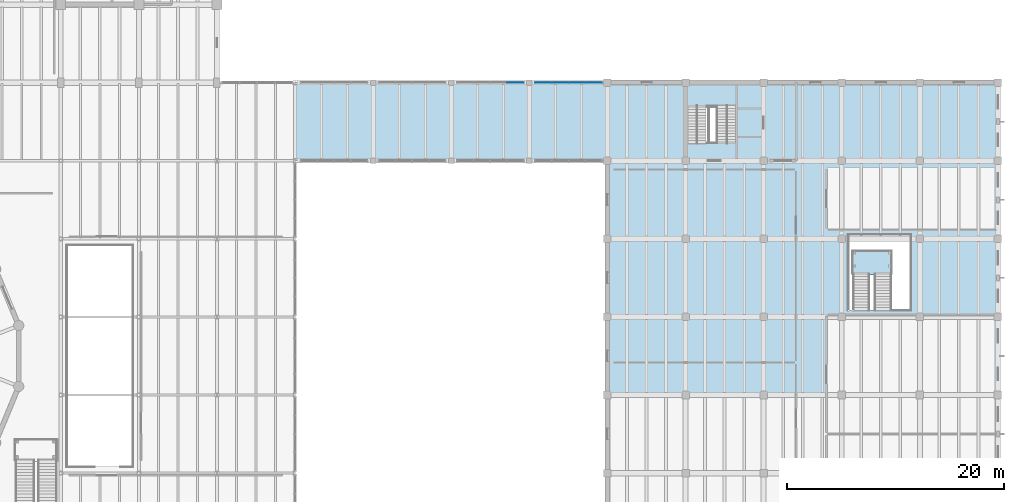
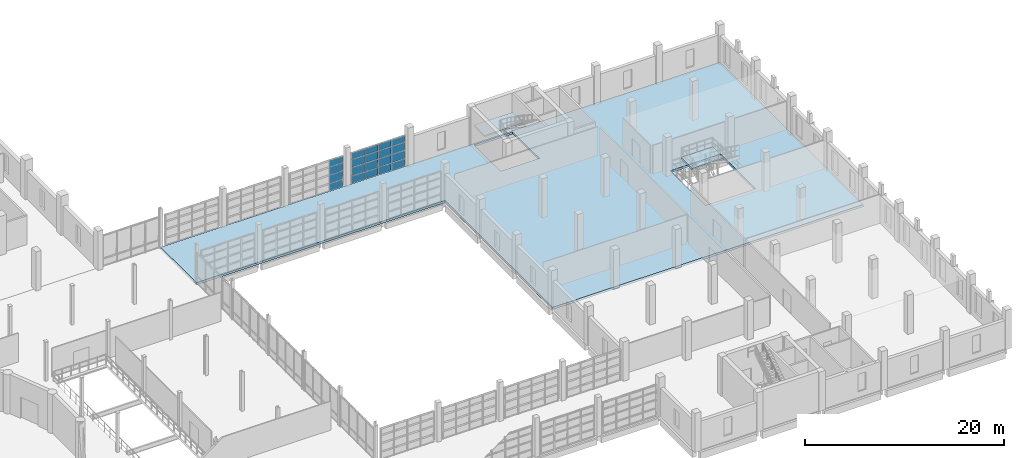
# One storey, part 57 of 77: 20 plates, 3 slabs, 4 elements without a shape of their own.
"""IFC4 building model written with IfcOpenShell, lengths in metres."""

from ifc_helpers import new_model, si_unit, direction, frame, frame_2d, origin, place, context, subcontext, project, spatial, polyline, rectangle, outline, extrude, material, layer, layer_set, type_object, element, aggregate, save


model = new_model("IFC4")

# Units and contexts
model_context = context("Model", 3, precision=1e-05, world=origin(), true_north=direction((0.0, 1.0)))
body_context = subcontext(model_context, "Body", "Model", "MODEL_VIEW")
ifc_project = project(units=[si_unit("LENGTHUNIT", "METRE"), si_unit("AREAUNIT", "SQUARE_METRE"), si_unit("VOLUMEUNIT", "CUBIC_METRE"), si_unit("PLANEANGLEUNIT", "RADIAN"), si_unit("MASSUNIT", "GRAM", prefix="KILO")], contexts=[model_context])

# Site, building, storey
site_placement = place(None, origin())
site = spatial("IfcSite", under=ifc_project, at=site_placement, CompositionType="ELEMENT")
building_placement = place(site_placement, origin())
building = spatial("IfcBuilding", under=site, at=building_placement, Name="Qiaolan Assembly House", CompositionType="ELEMENT")
storey_placement = place(building_placement, frame((0.0, 0.0, 5.39990234375)))
storey = spatial("IfcBuildingStorey", under=building, at=storey_placement, Name="L01", CompositionType="ELEMENT", Elevation=5.39990234375)

# Curtain wall, plates
ifc_material_1 = material(Name="Anodised bronze aluminium", Category="aluminium")
curtain_wall_type = type_object("IfcCurtainWallType", Name="CW-CLOISTER-420", PredefinedType="NOTDEFINED", material=ifc_material_1)
curtain_wall_1_placement = place(storey_placement, origin())
curtain_wall_1 = element("IfcCurtainWall", 1, at=curtain_wall_1_placement, inside=storey, type_object=curtain_wall_type, Name="CW-05 North Cloister outer arcade L01-3", PredefinedType="NOTDEFINED")
ifc_material_2 = material(Name="Low-E double insulating glass", Category="glass")
ifc_layer_1 = layer(ifc_material_2, 0.02587890625)
ifc_layer_set_1 = layer_set([ifc_layer_1], Name="Low-E double insulating glass")
plate_type = type_object("IfcPlateType", Name="CW-CLOISTER-420-PNL", PredefinedType="CURTAIN_PANEL", material=ifc_layer_set_1)
plate_1_placement = place(storey_placement, frame((129.052978515625, 86.39990234375, 0.052978515625), z_axis=(0.0, 0.0, 1.0), x_axis=(-1.0, 0.0, 0.0)))
plate_1 = element("IfcPlate", 2, at=plate_1_placement, type_object=plate_type, Name="GL-06 glazing panel CW-CLN-OUT-L01-2-1", PredefinedType="CURTAIN_PANEL", context=body_context, shape_type="SweptSolid", body=[
    extrude(rectangle(XDim=1.486083984375, YDim=0.02587890625, at=frame_2d((0.7431640625, 0.0))), origin(), (0.0, 0.0, 1.0), 0.8740234375),
])
plate_2_placement = place(storey_placement, frame((129.052978515625, 86.39990234375, 0.97314453125), z_axis=(0.0, 0.0, 1.0), x_axis=(-1.0, 0.0, 0.0)))
plate_2 = element("IfcPlate", 3, at=plate_2_placement, type_object=plate_type, Name="GL-06 glazing panel CW-CLN-OUT-L01-2-2", PredefinedType="CURTAIN_PANEL", context=body_context, shape_type="SweptSolid", body=[
    extrude(rectangle(XDim=1.486083984375, YDim=0.02587890625, at=frame_2d((0.7431640625, 0.0))), origin(), (0.0, 0.0, 1.0), 0.990234375),
])
plate_3_placement = place(storey_placement, frame((129.052978515625, 86.39990234375, 2.009521484375), z_axis=(0.0, 0.0, 1.0), x_axis=(-1.0, 0.0, 0.0)))
plate_3 = element("IfcPlate", 4, at=plate_3_placement, type_object=plate_type, Name="GL-06 glazing panel CW-CLN-OUT-L01-2-3", PredefinedType="CURTAIN_PANEL", context=body_context, shape_type="SweptSolid", body=[
    extrude(rectangle(XDim=1.486083984375, YDim=0.02587890625, at=frame_2d((0.7431640625, 0.0))), origin(), (0.0, 0.0, 1.0), 0.9375),
])
plate_4_placement = place(storey_placement, frame((129.052978515625, 86.39990234375, 2.9931640625), z_axis=(0.0, 0.0, 1.0), x_axis=(-1.0, 0.0, 0.0)))
plate_4 = element("IfcPlate", 5, at=plate_4_placement, type_object=plate_type, Name="GL-06 glazing panel CW-CLN-OUT-L01-2-4", PredefinedType="CURTAIN_PANEL", context=body_context, shape_type="SweptSolid", body=[
    extrude(rectangle(XDim=1.486083984375, YDim=0.02587890625, at=frame_2d((0.7431640625, 0.0))), origin(), (0.0, 0.0, 1.0), 0.77392578125),
])
aggregate(curtain_wall_1, [plate_1, plate_2, plate_3, plate_4])

curtain_wall_2_placement = place(storey_placement, origin())
curtain_wall_2 = element("IfcCurtainWall", 6, at=curtain_wall_2_placement, inside=storey, type_object=curtain_wall_type, Name="CW-05 North Cloister outer arcade L01-4", PredefinedType="NOTDEFINED")
plate_5_placement = place(storey_placement, frame((136.2529296875, 86.39990234375, 0.052978515625), z_axis=(0.0, 0.0, 1.0), x_axis=(-1.0, 0.0, 0.0)))
plate_5 = element("IfcPlate", 7, at=plate_5_placement, type_object=plate_type, Name="GL-06 glazing panel CW-CLN-OUT-L01-3-1", PredefinedType="CURTAIN_PANEL", context=body_context, shape_type="SweptSolid", body=[
    extrude(rectangle(XDim=1.48583984375, YDim=0.02587890625, at=frame_2d((0.742919921875, 0.0))), origin(), (0.0, 0.0, 1.0), 0.8740234375),
])
plate_6_placement = place(storey_placement, frame((136.2529296875, 86.39990234375, 0.97314453125), z_axis=(0.0, 0.0, 1.0), x_axis=(-1.0, 0.0, 0.0)))
plate_6 = element("IfcPlate", 8, at=plate_6_placement, type_object=plate_type, Name="GL-06 glazing panel CW-CLN-OUT-L01-3-2", PredefinedType="CURTAIN_PANEL", context=body_context, shape_type="SweptSolid", body=[
    extrude(rectangle(XDim=1.48583984375, YDim=0.02587890625, at=frame_2d((0.742919921875, 0.0))), origin(), (0.0, 0.0, 1.0), 0.990234375),
])
plate_7_placement = place(storey_placement, frame((136.2529296875, 86.39990234375, 2.009521484375), z_axis=(0.0, 0.0, 1.0), x_axis=(-1.0, 0.0, 0.0)))
plate_7 = element("IfcPlate", 9, at=plate_7_placement, type_object=plate_type, Name="GL-06 glazing panel CW-CLN-OUT-L01-3-3", PredefinedType="CURTAIN_PANEL", context=body_context, shape_type="SweptSolid", body=[
    extrude(rectangle(XDim=1.48583984375, YDim=0.02587890625, at=frame_2d((0.742919921875, 0.0))), origin(), (0.0, 0.0, 1.0), 0.9375),
])
plate_8_placement = place(storey_placement, frame((136.2529296875, 86.39990234375, 2.9931640625), z_axis=(0.0, 0.0, 1.0), x_axis=(-1.0, 0.0, 0.0)))
plate_8 = element("IfcPlate", 10, at=plate_8_placement, type_object=plate_type, Name="GL-06 glazing panel CW-CLN-OUT-L01-3-4", PredefinedType="CURTAIN_PANEL", context=body_context, shape_type="SweptSolid", body=[
    extrude(rectangle(XDim=1.48583984375, YDim=0.02587890625, at=frame_2d((0.742919921875, 0.0))), origin(), (0.0, 0.0, 1.0), 0.77392578125),
])
plate_9_placement = place(storey_placement, frame((134.712890625, 86.39990234375, 0.052978515625), z_axis=(0.0, 0.0, 1.0), x_axis=(-1.0, 0.0, 0.0)))
plate_9 = element("IfcPlate", 11, at=plate_9_placement, type_object=plate_type, Name="GL-06 glazing panel CW-CLN-OUT-L01-3-5", PredefinedType="CURTAIN_PANEL", context=body_context, shape_type="SweptSolid", body=[
    extrude(rectangle(XDim=1.48583984375, YDim=0.02587890625, at=frame_2d((0.742919921875, 0.0))), origin(), (0.0, 0.0, 1.0), 0.8740234375),
])
plate_10_placement = place(storey_placement, frame((134.712890625, 86.39990234375, 0.97314453125), z_axis=(0.0, 0.0, 1.0), x_axis=(-1.0, 0.0, 0.0)))
plate_10 = element("IfcPlate", 12, at=plate_10_placement, type_object=plate_type, Name="GL-06 glazing panel CW-CLN-OUT-L01-3-6", PredefinedType="CURTAIN_PANEL", context=body_context, shape_type="SweptSolid", body=[
    extrude(rectangle(XDim=1.48583984375, YDim=0.02587890625, at=frame_2d((0.742919921875, 0.0))), origin(), (0.0, 0.0, 1.0), 0.990234375),
])
plate_11_placement = place(storey_placement, frame((134.712890625, 86.39990234375, 2.009521484375), z_axis=(0.0, 0.0, 1.0), x_axis=(-1.0, 0.0, 0.0)))
plate_11 = element("IfcPlate", 13, at=plate_11_placement, type_object=plate_type, Name="GL-06 glazing panel CW-CLN-OUT-L01-3-7", PredefinedType="CURTAIN_PANEL", context=body_context, shape_type="SweptSolid", body=[
    extrude(rectangle(XDim=1.48583984375, YDim=0.02587890625, at=frame_2d((0.742919921875, 0.0))), origin(), (0.0, 0.0, 1.0), 0.9375),
])
plate_12_placement = place(storey_placement, frame((134.712890625, 86.39990234375, 2.9931640625), z_axis=(0.0, 0.0, 1.0), x_axis=(-1.0, 0.0, 0.0)))
plate_12 = element("IfcPlate", 14, at=plate_12_placement, type_object=plate_type, Name="GL-06 glazing panel CW-CLN-OUT-L01-3-8", PredefinedType="CURTAIN_PANEL", context=body_context, shape_type="SweptSolid", body=[
    extrude(rectangle(XDim=1.48583984375, YDim=0.02587890625, at=frame_2d((0.742919921875, 0.0))), origin(), (0.0, 0.0, 1.0), 0.77392578125),
])
plate_13_placement = place(storey_placement, frame((133.173095703125, 86.39990234375, 0.052978515625), z_axis=(0.0, 0.0, 1.0), x_axis=(-1.0, 0.0, 0.0)))
plate_13 = element("IfcPlate", 15, at=plate_13_placement, type_object=plate_type, Name="GL-06 glazing panel CW-CLN-OUT-L01-3-9", PredefinedType="CURTAIN_PANEL", context=body_context, shape_type="SweptSolid", body=[
    extrude(rectangle(XDim=1.486083984375, YDim=0.02587890625, at=frame_2d((0.7431640625, 0.0))), origin(), (0.0, 0.0, 1.0), 0.8740234375),
])
plate_14_placement = place(storey_placement, frame((133.173095703125, 86.39990234375, 0.97314453125), z_axis=(0.0, 0.0, 1.0), x_axis=(-1.0, 0.0, 0.0)))
plate_14 = element("IfcPlate", 16, at=plate_14_placement, type_object=plate_type, Name="GL-06 glazing panel CW-CLN-OUT-L01-3-10", PredefinedType="CURTAIN_PANEL", context=body_context, shape_type="SweptSolid", body=[
    extrude(rectangle(XDim=1.486083984375, YDim=0.02587890625, at=frame_2d((0.7431640625, 0.0))), origin(), (0.0, 0.0, 1.0), 0.990234375),
])
plate_15_placement = place(storey_placement, frame((133.173095703125, 86.39990234375, 2.009521484375), z_axis=(0.0, 0.0, 1.0), x_axis=(-1.0, 0.0, 0.0)))
plate_15 = element("IfcPlate", 17, at=plate_15_placement, type_object=plate_type, Name="GL-06 glazing panel CW-CLN-OUT-L01-3-11", PredefinedType="CURTAIN_PANEL", context=body_context, shape_type="SweptSolid", body=[
    extrude(rectangle(XDim=1.486083984375, YDim=0.02587890625, at=frame_2d((0.7431640625, 0.0))), origin(), (0.0, 0.0, 1.0), 0.9375),
])
plate_16_placement = place(storey_placement, frame((133.173095703125, 86.39990234375, 2.9931640625), z_axis=(0.0, 0.0, 1.0), x_axis=(-1.0, 0.0, 0.0)))
plate_16 = element("IfcPlate", 18, at=plate_16_placement, type_object=plate_type, Name="GL-06 glazing panel CW-CLN-OUT-L01-3-12", PredefinedType="CURTAIN_PANEL", context=body_context, shape_type="SweptSolid", body=[
    extrude(rectangle(XDim=1.486083984375, YDim=0.02587890625, at=frame_2d((0.7431640625, 0.0))), origin(), (0.0, 0.0, 1.0), 0.77392578125),
])
plate_17_placement = place(storey_placement, frame((131.633056640625, 86.39990234375, 0.052978515625), z_axis=(0.0, 0.0, 1.0), x_axis=(-1.0, 0.0, 0.0)))
plate_17 = element("IfcPlate", 19, at=plate_17_placement, type_object=plate_type, Name="GL-06 glazing panel CW-CLN-OUT-L01-3-13", PredefinedType="CURTAIN_PANEL", context=body_context, shape_type="SweptSolid", body=[
    extrude(rectangle(XDim=1.486083984375, YDim=0.02587890625, at=frame_2d((0.7431640625, 0.0))), origin(), (0.0, 0.0, 1.0), 0.8740234375),
])
plate_18_placement = place(storey_placement, frame((131.633056640625, 86.39990234375, 0.97314453125), z_axis=(0.0, 0.0, 1.0), x_axis=(-1.0, 0.0, 0.0)))
plate_18 = element("IfcPlate", 20, at=plate_18_placement, type_object=plate_type, Name="GL-06 glazing panel CW-CLN-OUT-L01-3-14", PredefinedType="CURTAIN_PANEL", context=body_context, shape_type="SweptSolid", body=[
    extrude(rectangle(XDim=1.486083984375, YDim=0.02587890625, at=frame_2d((0.7431640625, 0.0))), origin(), (0.0, 0.0, 1.0), 0.990234375),
])
plate_19_placement = place(storey_placement, frame((131.633056640625, 86.39990234375, 2.009521484375), z_axis=(0.0, 0.0, 1.0), x_axis=(-1.0, 0.0, 0.0)))
plate_19 = element("IfcPlate", 21, at=plate_19_placement, type_object=plate_type, Name="GL-06 glazing panel CW-CLN-OUT-L01-3-15", PredefinedType="CURTAIN_PANEL", context=body_context, shape_type="SweptSolid", body=[
    extrude(rectangle(XDim=1.486083984375, YDim=0.02587890625, at=frame_2d((0.7431640625, 0.0))), origin(), (0.0, 0.0, 1.0), 0.9375),
])
plate_20_placement = place(storey_placement, frame((131.633056640625, 86.39990234375, 2.9931640625), z_axis=(0.0, 0.0, 1.0), x_axis=(-1.0, 0.0, 0.0)))
plate_20 = element("IfcPlate", 22, at=plate_20_placement, type_object=plate_type, Name="GL-06 glazing panel CW-CLN-OUT-L01-3-16", PredefinedType="CURTAIN_PANEL", context=body_context, shape_type="SweptSolid", body=[
    extrude(rectangle(XDim=1.486083984375, YDim=0.02587890625, at=frame_2d((0.7431640625, 0.0))), origin(), (0.0, 0.0, 1.0), 0.77392578125),
])
aggregate(curtain_wall_2, [plate_5, plate_6, plate_7, plate_8, plate_9, plate_10, plate_11, plate_12, plate_13, plate_14, plate_15, plate_16, plate_17, plate_18, plate_19, plate_20])

# Stair, slab
ifc_material_3 = material(Name="Concrete C40/50", Category="concrete")
stair_type_1 = type_object("IfcStairType", Name="STR-BSMT-480", PredefinedType="HALF_TURN_STAIR", material=ifc_material_3)
stair_1_placement = place(storey_placement, origin())
stair_1 = element("IfcStair", 23, at=stair_1_placement, inside=storey, type_object=stair_type_1, Name="ST-04 enclosed egress stair CORE-F L01", PredefinedType="HALF_TURN_STAIR")
ifc_layer_2 = layer(ifc_material_3, 0.199951171875)
ifc_layer_set_2 = layer_set([ifc_layer_2], Name="Concrete C40/50")
slab_type_1 = type_object("IfcSlabType", Name="SLB-LANDING-200", PredefinedType="LANDING", material=ifc_layer_set_2)
slab_1_placement = place(storey_placement, frame((0.0, 0.0, 2.2001953125)))
slab_1 = element("IfcSlab", 24, at=slab_1_placement, type_object=slab_type_1, Name="Stair landing LND-CORE-F-L01-HL", PredefinedType="LANDING", context=body_context, shape_type="SweptSolid", body=[
    extrude(outline(polyline([(144.179931640625, 84.090087890625), (144.179931640625, 86.219970703125), (148.719970703125, 86.219970703125), (148.719970703125, 84.090087890625), (144.179931640625, 84.090087890625)])), origin(), (0.0, 0.0, 1.0), 0.199951171875),
])
aggregate(stair_1, [slab_1])

stair_type_2 = type_object("IfcStairType", Name="STR-LIB-READ-480", PredefinedType="HALF_TURN_STAIR", material=ifc_material_3)
stair_2_placement = place(storey_placement, origin())
stair_2 = element("IfcStair", 25, at=stair_2_placement, inside=storey, type_object=stair_type_2, Name="ST-12 Library Reading Well Stair ST-LB2", PredefinedType="HALF_TURN_STAIR")
slab_2_placement = place(storey_placement, frame((0.0, 0.0, 2.2001953125)))
slab_2 = element("IfcSlab", 26, at=slab_2_placement, type_object=slab_type_1, Name="Stair landing LND-ST-LB2-1", PredefinedType="LANDING", context=body_context, shape_type="SweptSolid", body=[
    extrude(outline(polyline([(159.35009765625, 68.679931640625), (159.35009765625, 70.949951171875), (163.050048828125, 70.949951171875), (163.050048828125, 68.679931640625), (159.35009765625, 68.679931640625)])), origin(), (0.0, 0.0, 1.0), 0.199951171875),
])
aggregate(stair_2, [slab_2])

# Slab
ifc_layer_3 = layer(ifc_material_3, 0.27001953125)
ifc_layer_set_3 = layer_set([ifc_layer_3], Name="Concrete C40/50")
slab_type_2 = type_object("IfcSlabType", Name="SLB-LIB-STACK-270", PredefinedType="FLOOR", material=ifc_layer_set_3)
slab_3_placement = place(storey_placement, frame((0.0, 0.0, -0.27001953125)))
element("IfcSlab", 27, at=slab_3_placement, inside=storey, type_object=slab_type_2, Name="FS-05 East Members' Library North Wing Slab L01", PredefinedType="FLOOR", context=body_context, shape_type="SweptSolid", body=[
    extrude(outline(polyline([(136.800048828125, 57.60009765625), (172.800048828125, 57.60009765625), (172.800048828125, 86.39990234375), (108.0, 86.39990234375), (108.0, 79.199951171875), (136.800048828125, 79.199951171875), (136.800048828125, 57.60009765625)]), holes=[polyline([(144.199951171875, 80.85009765625), (144.199951171875, 86.199951171875), (148.679931640625, 86.199951171875), (148.679931640625, 80.85009765625), (144.199951171875, 80.85009765625)]), polyline([(159.0, 65.39990234375), (159.0, 72.39990234375), (164.800048828125, 72.39990234375), (164.800048828125, 65.39990234375), (159.0, 65.39990234375)])]), origin(), (0.0, 0.0, 1.0), 0.27001953125),
])

save(model, "model.ifc")
